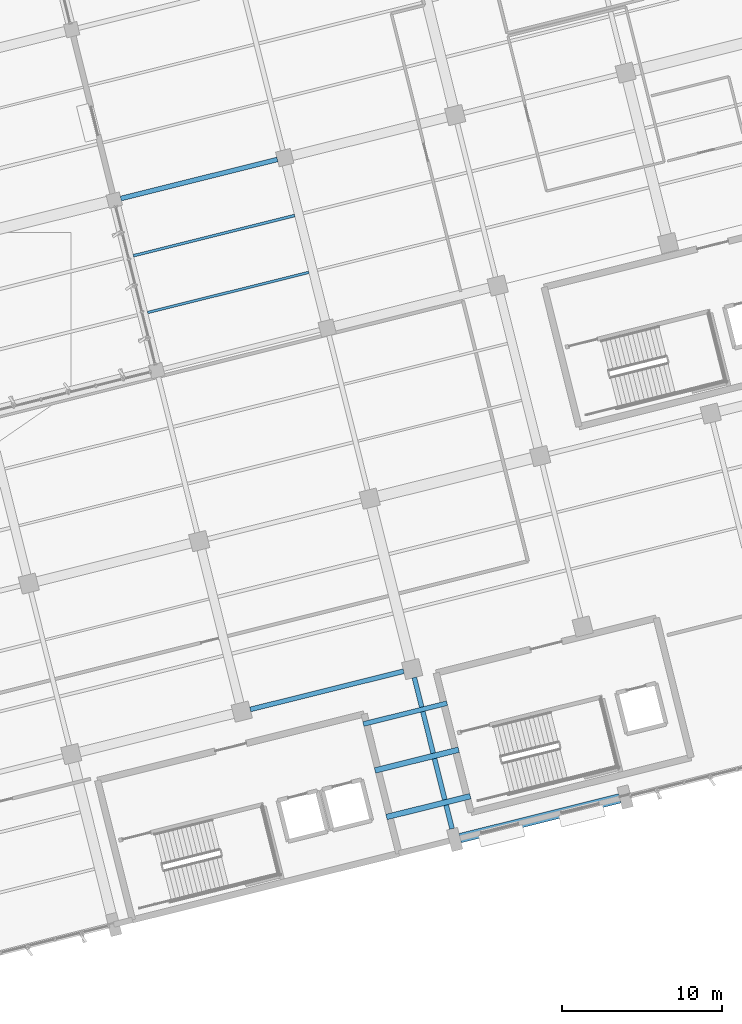
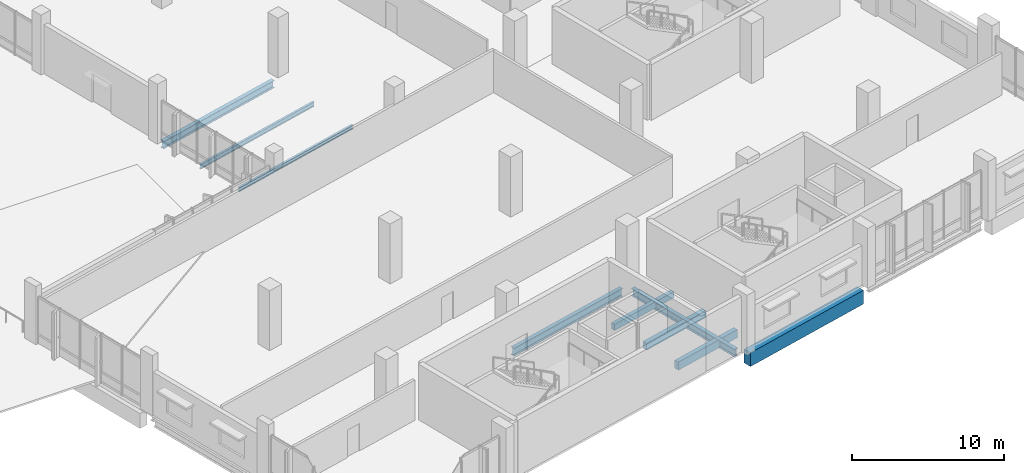
# One storey, part 75 of 137: 9 beams.
"""IFC4 building model written with IfcOpenShell, lengths in metres."""

from ifc_helpers import new_model, si_unit, direction, frame, origin, origin_2d, place, context, subcontext, project, spatial, rectangle, i_section, extrude, material, material_profile, profile_set, type_object, element, save


model = new_model("IFC4")

# Units and contexts
model_context = context("Model", 3, precision=1e-05, world=origin(), true_north=direction((0.0, 1.0)))
body_context = subcontext(model_context, "Body", "Model", "MODEL_VIEW")
ifc_project = project(units=[si_unit("LENGTHUNIT", "METRE"), si_unit("AREAUNIT", "SQUARE_METRE"), si_unit("VOLUMEUNIT", "CUBIC_METRE"), si_unit("PLANEANGLEUNIT", "RADIAN"), si_unit("MASSUNIT", "GRAM", prefix="KILO")], contexts=[model_context])

# Site, building, storey
site_placement = place(None, origin())
site = spatial("IfcSite", under=ifc_project, at=site_placement, CompositionType="ELEMENT")
building_placement = place(site_placement, origin())
building = spatial("IfcBuilding", under=site, at=building_placement, Name="Khorjan Park Terminus", CompositionType="ELEMENT")
storey_placement = place(building_placement, frame((0.0, 0.0, 11.4)))
storey = spatial("IfcBuildingStorey", under=building, at=storey_placement, Name="L02", CompositionType="ELEMENT", Elevation=11.4)

# Beams
ifc_material_1 = material(Name="Steel S355", Category="steel")
ifc_material_profile_1 = material_profile(ifc_material_1, i_section(OverallWidth=0.3, OverallDepth=0.64, WebThickness=0.0135, FlangeThickness=0.026, FilletRadius=0.027, at=origin_2d()), Name="HEA 650")
ifc_profile_set_1 = profile_set([ifc_material_profile_1], Name="Steel S355")
beam_type_1 = type_object("IfcBeamType", Name="BM-HEA650", PredefinedType="BEAM", material=ifc_profile_set_1)
beam_1_placement = place(storey_placement, frame((185.2142, 18.1274, -0.67), z_axis=(0.970296634521, 0.241918252798, 0.0), x_axis=(-0.241918252798, 0.970296634521, 0.0)))
element("IfcBeam", 1, at=beam_1_placement, inside=storey, type_object=beam_type_1, Name="Primary skew-grid floor girder SB-A65 (L02)", PredefinedType="BEAM", context=body_context, shape_type="SweptSolid", body=[
    extrude(i_section(OverallWidth=0.3, OverallDepth=0.64, WebThickness=0.0135, FlangeThickness=0.026, FilletRadius=0.027, at=origin_2d()), origin(), (0.0, 0.0, 1.0), 9.91),
])
ifc_material_profile_2 = material_profile(ifc_material_1, i_section(OverallWidth=0.3, OverallDepth=0.6, WebThickness=0.0155, FlangeThickness=0.03, FilletRadius=0.027, at=origin_2d()), Name="HEB 600")
ifc_profile_set_2 = profile_set([ifc_material_profile_2], Name="Steel S355")
beam_type_2 = type_object("IfcBeamType", Name="BM-HEB600", PredefinedType="BEAM", material=ifc_profile_set_2)
beam_2_placement = place(storey_placement, frame((177.1095, 50.1169, -0.64), z_axis=(0.970296490369, 0.241918830968, 0.0), x_axis=(-0.241918830968, 0.970296490369, 0.0)))
element("IfcBeam", 2, at=beam_2_placement, inside=storey, type_object=beam_type_2, Name="Primary skew-grid floor girder SB-B60 (L02)", PredefinedType="BEAM", context=body_context, shape_type="SweptSolid", body=[
    extrude(i_section(OverallWidth=0.3, OverallDepth=0.6, WebThickness=0.0155, FlangeThickness=0.03, FilletRadius=0.027, at=origin_2d()), origin(), (0.0, 0.0, 1.0), 10.11),
])
beam_3_placement = place(storey_placement, frame((197.8516, 10.6578, -0.65), z_axis=(-0.241915999835, 0.970297196236, 0.0), x_axis=(-0.970297196236, -0.241915999835, 0.0)))
element("IfcBeam", 3, at=beam_3_placement, inside=storey, type_object=beam_type_2, Name="Primary skew-grid floor girder SB-B60 (L02)", PredefinedType="BEAM", context=body_context, shape_type="SweptSolid", body=[
    extrude(i_section(OverallWidth=0.3, OverallDepth=0.6, WebThickness=0.0155, FlangeThickness=0.03, FilletRadius=0.027, at=origin_2d()), origin(), (0.0, 0.0, 1.0), 9.76),
])
ifc_material_2 = material(Name="Concrete C40/50", Category="concrete")
ifc_material_profile_3 = material_profile(ifc_material_2, rectangle(XDim=0.6, YDim=1.1, at=origin_2d()), Name="RC 600x1100")
ifc_profile_set_3 = profile_set([ifc_material_profile_3], Name="Concrete C40/50")
beam_type_3 = type_object("IfcBeamType", Name="BM-RC600x1100", PredefinedType="BEAM", material=ifc_profile_set_3)
beam_4_placement = place(storey_placement, frame((198.3545, 10.0669, -0.9), z_axis=(0.970296351811, 0.241919386702, 0.0), x_axis=(-0.241919386702, 0.970296351811, 0.0)))
element("IfcBeam", 4, at=beam_4_placement, inside=storey, type_object=beam_type_3, Name="Primary skew-grid floor girder GB-11 (L02)", PredefinedType="BEAM", context=body_context, shape_type="SweptSolid", body=[
    extrude(rectangle(XDim=0.6, YDim=1.1, at=origin_2d()), origin(), (0.0, 0.0, 1.0), 10.31),
])
ifc_material_profile_4 = material_profile(ifc_material_1, i_section(OverallWidth=0.16, OverallDepth=0.33, WebThickness=0.0075, FlangeThickness=0.0115, FilletRadius=0.018, at=origin_2d()), Name="IPE 330")
ifc_profile_set_4 = profile_set([ifc_material_profile_4], Name="Steel S355")
beam_type_4 = type_object("IfcBeamType", Name="JS-IPE330", PredefinedType="JOIST", material=ifc_profile_set_4)
beam_5_placement = place(storey_placement, frame((178.7914, 42.9784, -0.505), z_axis=(0.970295586552, 0.241922456002, 0.0), x_axis=(-0.241922456002, 0.970295586552, 0.0)))
element("IfcBeam", 5, at=beam_5_placement, inside=storey, type_object=beam_type_4, Name="Secondary composite floor joist SJ-33 (L02)", PredefinedType="JOIST", context=body_context, shape_type="SweptSolid", body=[
    extrude(i_section(OverallWidth=0.16, OverallDepth=0.33, WebThickness=0.0075, FlangeThickness=0.0115, FilletRadius=0.018, at=origin_2d()), origin(), (0.0, 0.0, 1.0), 10.4),
])
ifc_material_profile_5 = material_profile(ifc_material_1, i_section(OverallWidth=0.17, OverallDepth=0.36, WebThickness=0.008, FlangeThickness=0.0127, FilletRadius=0.018, at=origin_2d()), Name="IPE 360")
ifc_profile_set_5 = profile_set([ifc_material_profile_5], Name="Steel S355")
beam_type_5 = type_object("IfcBeamType", Name="JS-IPE360", PredefinedType="JOIST", material=ifc_profile_set_5)
beam_6_placement = place(storey_placement, frame((177.9043, 46.5361, -0.52), z_axis=(0.970295586552, 0.241922456002, 0.0), x_axis=(-0.241922456002, 0.970295586552, 0.0)))
element("IfcBeam", 6, at=beam_6_placement, inside=storey, type_object=beam_type_5, Name="Secondary composite floor joist SJ-36 (L02)", PredefinedType="JOIST", context=body_context, shape_type="SweptSolid", body=[
    extrude(i_section(OverallWidth=0.17, OverallDepth=0.36, WebThickness=0.008, FlangeThickness=0.0127, FilletRadius=0.018, at=origin_2d()), origin(), (0.0, 0.0, 1.0), 10.4),
])
ifc_material_profile_6 = material_profile(ifc_material_2, rectangle(XDim=0.3, YDim=0.5, at=origin_2d()), Name="RC 300x500")
ifc_profile_set_6 = profile_set([ifc_material_profile_6], Name="Concrete C40/50")
beam_type_6 = type_object("IfcBeamType", Name="LN-RC300x500", PredefinedType="LINTEL", material=ifc_profile_set_6)
beam_7_placement = place(storey_placement, frame((192.3005, 17.2146, -0.61), z_axis=(0.97029481357, 0.241925556235, 0.0), x_axis=(-0.241925556235, 0.97029481357, 0.0)))
element("IfcBeam", 7, at=beam_7_placement, inside=storey, type_object=beam_type_6, Name="Inter-core coupling lintel beam LN-50 (L02)", PredefinedType="LINTEL", context=body_context, shape_type="SweptSolid", body=[
    extrude(rectangle(XDim=0.3, YDim=0.5, at=origin_2d()), origin(), (0.0, 0.0, 1.0), 5.4),
])
ifc_material_profile_7 = material_profile(ifc_material_2, rectangle(XDim=0.35, YDim=0.55, at=origin_2d()), Name="RC 350x550")
ifc_profile_set_7 = profile_set([ifc_material_profile_7], Name="Concrete C40/50")
beam_type_7 = type_object("IfcBeamType", Name="LN-RC350x550", PredefinedType="LINTEL", material=ifc_profile_set_7)
beam_8_placement = place(storey_placement, frame((193.0263, 14.3037, -0.635), z_axis=(0.97029481357, 0.241925556235, 0.0), x_axis=(-0.241925556235, 0.97029481357, 0.0)))
element("IfcBeam", 8, at=beam_8_placement, inside=storey, type_object=beam_type_7, Name="Inter-core coupling lintel beam LN-55 (L02)", PredefinedType="LINTEL", context=body_context, shape_type="SweptSolid", body=[
    extrude(rectangle(XDim=0.35, YDim=0.55, at=origin_2d()), origin(), (0.0, 0.0, 1.0), 5.4),
])
ifc_material_profile_8 = material_profile(ifc_material_2, rectangle(XDim=0.35, YDim=0.65, at=origin_2d()), Name="RC 350x650")
ifc_profile_set_8 = profile_set([ifc_material_profile_8], Name="Concrete C40/50")
beam_type_8 = type_object("IfcBeamType", Name="LN-RC350x650", PredefinedType="LINTEL", material=ifc_profile_set_8)
beam_9_placement = place(storey_placement, frame((193.752, 11.3928, -0.685), z_axis=(0.97029481357, 0.241925556235, 0.0), x_axis=(-0.241925556235, 0.97029481357, 0.0)))
element("IfcBeam", 9, at=beam_9_placement, inside=storey, type_object=beam_type_8, Name="Inter-core coupling lintel beam LN-65 (L02)", PredefinedType="LINTEL", context=body_context, shape_type="SweptSolid", body=[
    extrude(rectangle(XDim=0.35, YDim=0.65, at=origin_2d()), origin(), (0.0, 0.0, 1.0), 5.4),
])

save(model, "model.ifc")
